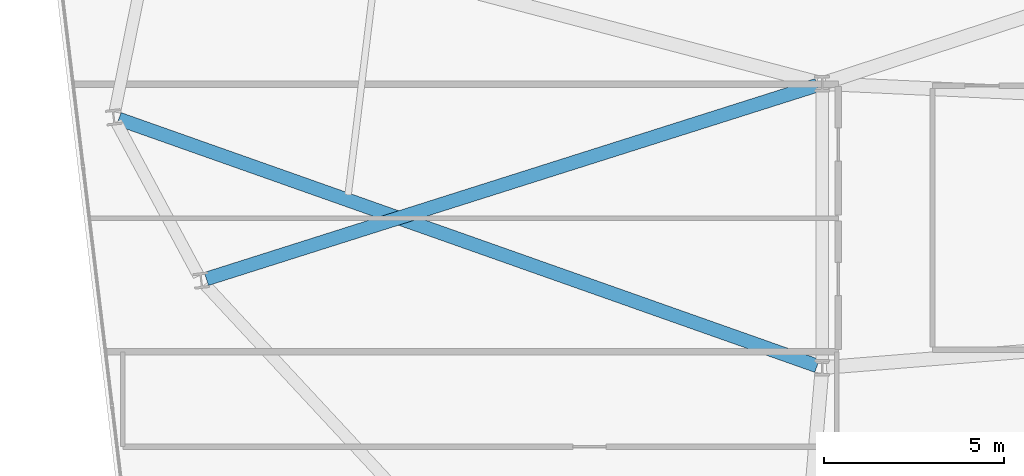
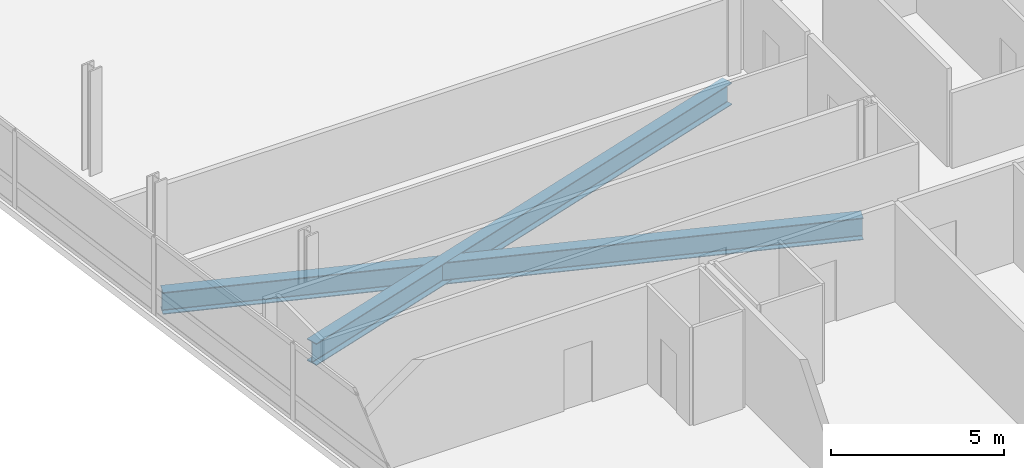
# One storey, part 5 of 23: 2 beams.
"""IFC4 building model written with IfcOpenShell, lengths in metres."""

import ifcopenshell
import ifcopenshell.guid

model = None  # the IFC model being written
_history = None  # IfcOwnerHistory: only IFC2X3 demands one
_inside = {}  # id of a spatial element -> (the spatial element, [elements in it])
_under = {}  # id of a project, library or spatial element -> (it, [spatial elements below it])
_declared = {}  # id of a project -> (the project, [libraries it declares])
_typed = {}  # id of a type object -> (the type object, [elements of that type])
_made_of = {}  # id of a material, layer set ... -> (it, [elements and type objects made of it])


def new_model(schema):
    """Start an empty IFC model of exactly this schema.

    Asked for "IFC4X3", IfcOpenShell would pick the latest addendum, in which some entities
    have other attributes; the version numbers below select the first issue.
    IFC2X3 requires an IfcOwnerHistory on every rooted entity: one is made here for all.
    """
    global model, _history
    if schema == "IFC4X3":
        model = ifcopenshell.file(schema_version=(4, 3, 0, 0))
    else:
        model = ifcopenshell.file(schema=schema)
    _inside.clear()
    _under.clear()
    _declared.clear()
    _typed.clear()
    _made_of.clear()
    _history = None
    if model.schema == "IFC2X3":
        org = make("IfcOrganization", Name="unknown")
        user = make(
            "IfcPersonAndOrganization",
            ThePerson=make("IfcPerson", FamilyName="unknown"),
            TheOrganization=org,
        )
        app = make(
            "IfcApplication",
            ApplicationDeveloper=org,
            Version="unknown",
            ApplicationFullName="unknown",
            ApplicationIdentifier="unknown",
        )
        _history = make(
            "IfcOwnerHistory",
            OwningUser=user,
            OwningApplication=app,
            ChangeAction="ADDED",
            CreationDate=0,
        )
    return model


def make(cls, **values):
    """One entity of the class cls with the attributes given. An attribute that is None is left unset."""
    return model.create_entity(
        cls, **{name: value for name, value in values.items() if value is not None}
    )


def rooted(cls, **values):
    """An entity with a GlobalId (a new one), such as an element, a storey or a relation."""
    return make(cls, GlobalId=ifcopenshell.guid.new(), OwnerHistory=_history, **values)


def si_unit(unit_type, name, prefix=None):
    """IfcSIUnit, for example si_unit("LENGTHUNIT", "METRE", prefix="MILLI")."""
    return make("IfcSIUnit", UnitType=unit_type, Prefix=prefix, Name=name)


def assignment(units):
    """IfcUnitAssignment: the units of a project."""
    return None if units is None else make("IfcUnitAssignment", Units=units)


def point(xyz):
    """IfcCartesianPoint."""
    return None if xyz is None else make("IfcCartesianPoint", Coordinates=xyz)


def direction(xyz):
    """IfcDirection."""
    return None if xyz is None else make("IfcDirection", DirectionRatios=xyz)


def frame(location, z_axis=None, x_axis=None):
    """IfcAxis2Placement3D, a coordinate frame: its origin and axes. An axis left out is left unset."""
    return make(
        "IfcAxis2Placement3D",
        Location=point(location),
        Axis=direction(z_axis),
        RefDirection=direction(x_axis),
    )


def frame_2d(location, x_axis=None):
    """IfcAxis2Placement2D, a coordinate frame in the plane: its origin and x axis."""
    return make(
        "IfcAxis2Placement2D", Location=point(location), RefDirection=direction(x_axis)
    )


def origin():
    """The frame at (0, 0, 0) with its axes left unset."""
    return frame((0.0, 0.0, 0.0))


def origin_2d():
    """The frame at (0, 0) in the plane with its x axis left unset."""
    return frame_2d((0.0, 0.0))


def place(relative_to, where):
    """IfcLocalPlacement: puts the frame where relative to a parent placement (None: the world)."""
    return make(
        "IfcLocalPlacement", PlacementRelTo=relative_to, RelativePlacement=where
    )


def context(
    kind, dimensions, precision=None, world=None, true_north=None, identifier=None
):
    """IfcGeometricRepresentationContext, for example the 3D "Model" context."""
    return make(
        "IfcGeometricRepresentationContext",
        ContextIdentifier=identifier,
        ContextType=kind,
        CoordinateSpaceDimension=dimensions,
        Precision=precision,
        WorldCoordinateSystem=world,
        TrueNorth=true_north,
    )


def subcontext(parent, identifier, kind, view, scale=None):
    """IfcGeometricRepresentationSubContext, for example "Body" below "Model"."""
    return make(
        "IfcGeometricRepresentationSubContext",
        ContextIdentifier=identifier,
        ContextType=kind,
        ParentContext=parent,
        TargetScale=scale,
        TargetView=view,
    )


def project(units=None, contexts=None):
    """IfcProject with its units and contexts."""
    return rooted(
        "IfcProject",
        Name="project",
        RepresentationContexts=contexts,
        UnitsInContext=assignment(units),
    )


def spatial(cls, under=None, at=None, **own):
    """A site, building, storey or space (cls), placed at a placement, below another one or the project."""
    s = rooted(cls, ObjectPlacement=at, **own)
    if under is not None:
        _under.setdefault(under.id(), (under, []))[1].append(s)
    return s


def profile(cls, at=None, kind="AREA", **sizes):
    """A parametric profile (cls). Its sizes go by their IFC names, for example OverallWidth=200.0."""
    return make(cls, ProfileType=kind, Position=at, **sizes)


def i_section(**sizes):
    """IfcIShapeProfileDef."""
    return profile("IfcIShapeProfileDef", **sizes)


def extrude(swept, where, along, depth):
    """IfcExtrudedAreaSolid: the profile swept, set in the frame where, extruded along a direction by depth."""
    return make(
        "IfcExtrudedAreaSolid",
        SweptArea=swept,
        Position=where,
        ExtrudedDirection=direction(along),
        Depth=depth,
    )


def shape(context_of_items, identifier, shape_type, items):
    """IfcShapeRepresentation: the items that make up one representation, for example the "Body"."""
    return make(
        "IfcShapeRepresentation",
        ContextOfItems=context_of_items,
        RepresentationIdentifier=identifier,
        RepresentationType=shape_type,
        Items=items,
    )


def material(Name=None, Category=None):
    """IfcMaterial."""
    return make("IfcMaterial", Name=Name, Category=Category)


def material_profile(
    of_material, cross_section, Name=None, Category=None, Priority=None
):
    """IfcMaterialProfile: a cross section and its material."""
    return make(
        "IfcMaterialProfile",
        Name=Name,
        Material=of_material,
        Profile=cross_section,
        Priority=Priority,
        Category=Category,
    )


def profile_set(profiles, Name=None, composite=None):
    """IfcMaterialProfileSet."""
    return make(
        "IfcMaterialProfileSet",
        Name=Name,
        MaterialProfiles=profiles,
        CompositeProfile=composite,
    )


def made_of(thing, what):
    """Note that an element or type object is made of a material, layer set ...; save() writes the relation."""
    if what is not None:
        _made_of.setdefault(what.id(), (what, []))[1].append(thing)
    return thing


def type_object(cls, material=None, **own):
    """A type object (cls), such as IfcWallType, which elements share."""
    return made_of(rooted(cls, **own), material)


def element(
    cls,
    number,
    at=None,
    inside=None,
    cuts=None,
    type_object=None,
    material=None,
    context=None,
    identifier="Body",
    shape_type=None,
    held_by="IfcProductDefinitionShape",
    body=None,
    shapes=None,
    **own,
):
    """One element of the class cls, such as IfcWall. Its Tag is "e" and its number.

    at: its placement. inside: the storey or other place that contains it. cuts: it is an
    opening in that element (IfcRelVoidsElement). A single representation is given by context,
    identifier, shape_type and body (its items); several are given by shapes. held_by: the class
    of the entity that holds the representations. save() writes the other relations.
    """
    e = rooted(cls, Tag="e%d" % number, ObjectPlacement=at, **own)
    if body is not None:
        shapes = [shape(context, identifier, shape_type, body)]
    if shapes is not None:
        e.Representation = make(held_by, Representations=shapes)
    if inside is not None:
        _inside.setdefault(inside.id(), (inside, []))[1].append(e)
    if cuts is not None:
        rooted(
            "IfcRelVoidsElement", RelatingBuildingElement=cuts, RelatedOpeningElement=e
        )
    if type_object is not None:
        _typed.setdefault(type_object.id(), (type_object, []))[1].append(e)
    return made_of(e, material)


def aggregate(whole, parts):
    """IfcRelAggregates: a whole, such as a stair, and the parts it consists of."""
    return rooted("IfcRelAggregates", RelatingObject=whole, RelatedObjects=parts)


def save(model, path):
    """Write the relations noted so far, then the file.

    IfcRelAggregates (storeys below a building ...), IfcRelContainedInSpatialStructure (elements
    in a storey), IfcRelDefinesByType, IfcRelAssociatesMaterial and IfcRelDeclares: one each for
    every whole, place, type object, material and project.
    """
    for whole, parts in _under.values():
        aggregate(whole, parts)
    for where, things in _inside.values():
        rooted(
            "IfcRelContainedInSpatialStructure",
            RelatedElements=things,
            RelatingStructure=where,
        )
    for kind, things in _typed.values():
        rooted("IfcRelDefinesByType", RelatedObjects=things, RelatingType=kind)
    for what, things in _made_of.values():
        rooted("IfcRelAssociatesMaterial", RelatedObjects=things, RelatingMaterial=what)
    for by, libraries in _declared.values():
        rooted("IfcRelDeclares", RelatingContext=by, RelatedDefinitions=libraries)
    model.write(path)


model = new_model("IFC4")

# Units and contexts
model_context = context("Model", 3, precision=1e-05, world=origin(), true_north=direction((0.0, 1.0)))
body_context = subcontext(model_context, "Body", "Model", "MODEL_VIEW")
ifc_project = project(units=[si_unit("LENGTHUNIT", "METRE"), si_unit("AREAUNIT", "SQUARE_METRE"), si_unit("VOLUMEUNIT", "CUBIC_METRE"), si_unit("PLANEANGLEUNIT", "RADIAN"), si_unit("MASSUNIT", "GRAM", prefix="KILO")], contexts=[model_context])

# Site, building, storey
site_placement = place(None, origin())
site = spatial("IfcSite", under=ifc_project, at=site_placement, CompositionType="ELEMENT")
building_placement = place(site_placement, origin())
building = spatial("IfcBuilding", under=site, at=building_placement, Name="Varnelok Gate Tower", CompositionType="ELEMENT")
storey_placement = place(building_placement, frame((0.0, 0.0, 200.5)))
storey = spatial("IfcBuildingStorey", under=building, at=storey_placement, Name="L51", CompositionType="ELEMENT", Elevation=200.5)

# Beams
ifc_material = material(Name="Structural Steel ASTM A992 Grade 50", Category="steel")
ifc_material_profile = material_profile(ifc_material, i_section(OverallWidth=0.381103515625, OverallDepth=0.77294921875, WebThickness=0.0166015625, FlangeThickness=0.027099609375, FilletRadius=0.02197265625, at=origin_2d()), Name="W30X173")
ifc_profile_set = profile_set([ifc_material_profile], Name="Structural Steel ASTM A992 Grade 50")
beam_type = type_object("IfcBeamType", Name="BM-PRI-W30X173", PredefinedType="BEAM", material=ifc_profile_set)
beam_1_placement = place(storey_placement, frame((24.258544921875, 18.85009765625, -0.636474609375), z_axis=(-0.942837769657, 0.333252066923, 0.0), x_axis=(-0.333252066923, -0.942837769657, 0.0)))
element("IfcBeam", 1, at=beam_1_placement, inside=storey, type_object=beam_type, Name="L51 Radial Floor Girder 15", PredefinedType="BEAM", context=body_context, shape_type="SweptSolid", body=[
    extrude(i_section(OverallWidth=0.381103515625, OverallDepth=0.77294921875, WebThickness=0.0166015625, FlangeThickness=0.027099609375, FilletRadius=0.02197265625, at=origin_2d()), origin(), (0.0, 0.0, 1.0), 20.5458984375),
])
beam_2_placement = place(storey_placement, frame((24.257080078125, 26.634521484375, -0.636474609375), z_axis=(-0.953202154823, -0.302333676657, 0.0), x_axis=(0.302333676657, -0.953202154823, 0.0)))
element("IfcBeam", 2, at=beam_2_placement, inside=storey, type_object=beam_type, Name="L51 Radial Floor Girder 16", PredefinedType="BEAM", context=body_context, shape_type="SweptSolid", body=[
    extrude(i_section(OverallWidth=0.381103515625, OverallDepth=0.77294921875, WebThickness=0.0166015625, FlangeThickness=0.027099609375, FilletRadius=0.02197265625, at=origin_2d()), origin(), (0.0, 0.0, 1.0), 17.77099609375),
])

save(model, "model.ifc")
